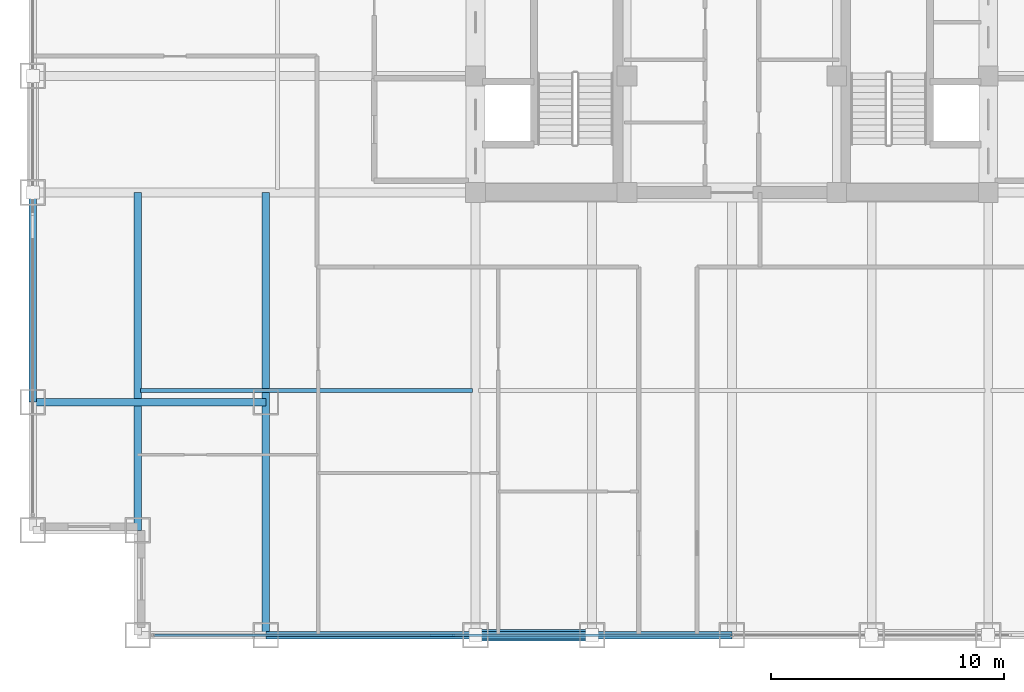
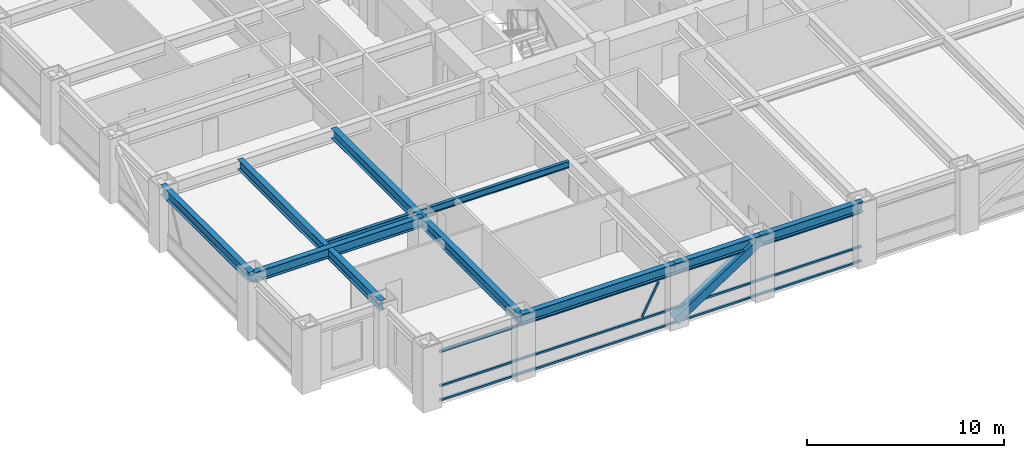
# One storey, part 3 of 24: 8 beams, 5 members, 1 element without a shape of its own.
"""IFC4 building model written with IfcOpenShell, lengths in metres."""

from ifc_helpers import new_model, si_unit, direction, frame, origin, origin_2d, place, context, subcontext, project, spatial, hollow_rectangle, i_section, extrude, source, transform, mapped, material, material_profile, profile_set, type_object, element, aggregate, save


model = new_model("IFC4")

# Units and contexts
model_context = context("Model", 3, precision=1e-05, world=origin(), true_north=direction((0.0, 1.0)))
body_context = subcontext(model_context, "Body", "Model", "MODEL_VIEW")
ifc_project = project(units=[si_unit("LENGTHUNIT", "METRE"), si_unit("AREAUNIT", "SQUARE_METRE"), si_unit("VOLUMEUNIT", "CUBIC_METRE"), si_unit("PLANEANGLEUNIT", "RADIAN"), si_unit("MASSUNIT", "GRAM", prefix="KILO")], contexts=[model_context])

# Site, building, storey
site_placement = place(None, origin())
site = spatial("IfcSite", under=ifc_project, at=site_placement, CompositionType="ELEMENT")
building_placement = place(site_placement, origin())
building = spatial("IfcBuilding", under=site, at=building_placement, Name="Khorayat Bourse Tower", CompositionType="ELEMENT")
storey_placement = place(building_placement, frame((0.0, 0.0, 175.10009765625)))
storey = spatial("IfcBuildingStorey", under=building, at=storey_placement, Name="L40", CompositionType="ELEMENT", Elevation=175.10009765625)

# Beams
ifc_material_1 = material(Name="Steel ASTM A992 Grade 50", Category="steel")
ifc_material_profile_1 = material_profile(ifc_material_1, i_section(OverallWidth=0.324951171875, OverallDepth=0.615966796875, WebThickness=0.013916015625, FlangeThickness=0.021484375, FilletRadius=0.01611328125, at=origin_2d()), Name="W610X174")
ifc_profile_set_1 = profile_set([ifc_material_profile_1], Name="Steel ASTM A992 Grade 50")
beam_type_1 = type_object("IfcBeamType", Name="BM-GIRD-610", PredefinedType="BEAM", material=ifc_profile_set_1)
shared_shape_1 = source(origin(), body_context, "Body", "SweptSolid", [
    extrude(i_section(OverallWidth=0.324951171875, OverallDepth=0.615966796875, WebThickness=0.013916015625, FlangeThickness=0.021484375, FilletRadius=0.01611328125, at=origin_2d()), origin(), (0.0, 0.0, 1.0), 19.0),
])
beam_1_placement = place(storey_placement, frame((-20.0, -30.0, 3.471923828125), z_axis=(0.0, 1.0, 0.0), x_axis=(-1.0, 0.0, 0.0)))
element("IfcBeam", 1, at=beam_1_placement, inside=storey, type_object=beam_type_1, Name="L40 BM-GIRD-610 BM-L40-CNRY-084", PredefinedType="BEAM", context=body_context, shape_type="MappedRepresentation", body=[
    mapped(shared_shape_1, transform((0.0, 0.0, 0.0), scale=1.0)),
])
shared_shape_2 = source(origin(), body_context, "Body", "SweptSolid", [
    extrude(i_section(OverallWidth=0.324951171875, OverallDepth=0.615966796875, WebThickness=0.013916015625, FlangeThickness=0.021484375, FilletRadius=0.01611328125, at=origin_2d()), origin(), (0.0, 0.0, 1.0), 14.5),
])
beam_2_placement = place(storey_placement, frame((-25.5, -25.5, 3.471923828125), z_axis=(0.0, 1.0, 0.0), x_axis=(-1.0, 0.0, 0.0)))
element("IfcBeam", 2, at=beam_2_placement, inside=storey, type_object=beam_type_1, Name="L40 BM-GIRD-610 BM-L40-CNRY-088", PredefinedType="BEAM", context=body_context, shape_type="MappedRepresentation", body=[
    mapped(shared_shape_2, transform((0.0, 0.0, 0.0), scale=1.0)),
])
shared_shape_3 = source(origin(), body_context, "Body", "SweptSolid", [
    extrude(i_section(OverallWidth=0.324951171875, OverallDepth=0.615966796875, WebThickness=0.013916015625, FlangeThickness=0.021484375, FilletRadius=0.01611328125, at=origin_2d()), origin(), (0.0, 0.0, 1.0), 10.0),
])
beam_3_placement = place(storey_placement, frame((-30.0, -20.0, 3.471923828125), z_axis=(1.0, 0.0, 0.0), x_axis=(0.0, 1.0, 0.0)))
element("IfcBeam", 3, at=beam_3_placement, inside=storey, type_object=beam_type_1, Name="L40 BM-GIRD-610 BM-L40-CNRX-093", PredefinedType="BEAM", context=body_context, shape_type="MappedRepresentation", body=[
    mapped(shared_shape_3, transform((0.0, 0.0, 0.0), scale=1.0)),
])
ifc_material_profile_2 = material_profile(ifc_material_1, i_section(OverallWidth=0.180908203125, OverallDepth=0.4169921875, WebThickness=0.010986328125, FlangeThickness=0.018310546875, FilletRadius=0.011962890625, at=origin_2d()), Name="W410X85")
ifc_profile_set_2 = profile_set([ifc_material_profile_2], Name="Steel ASTM A992 Grade 50")
beam_type_2 = type_object("IfcBeamType", Name="BM-JOIST-410", PredefinedType="JOIST", material=ifc_profile_set_2)
shared_shape_4 = source(origin(), body_context, "Body", "SweptSolid", [
    extrude(i_section(OverallWidth=0.180908203125, OverallDepth=0.4169921875, WebThickness=0.010986328125, FlangeThickness=0.018310546875, FilletRadius=0.011962890625, at=origin_2d()), origin(), (0.0, 0.0, 1.0), 14.240234375),
])
beam_4_placement = place(storey_placement, frame((-25.3701171875, -19.5, 3.5712890625), z_axis=(1.0, 0.0, 0.0), x_axis=(0.0, 1.0, 0.0)))
element("IfcBeam", 4, at=beam_4_placement, inside=storey, type_object=beam_type_2, Name="L40 BM-JOIST-410 BM-L40-JSTX-096", PredefinedType="JOIST", context=body_context, shape_type="MappedRepresentation", body=[
    mapped(shared_shape_4, transform((0.0, 0.0, 0.0), scale=1.0)),
])
ifc_material_profile_3 = material_profile(ifc_material_1, i_section(OverallWidth=0.324951171875, OverallDepth=0.615966796875, WebThickness=0.013916015625, FlangeThickness=0.021484375, FilletRadius=0.01611328125, at=origin_2d()), Name="W610X174")
ifc_profile_set_3 = profile_set([ifc_material_profile_3], Name="Steel ASTM A992 Grade 50")
beam_type_3 = type_object("IfcBeamType", Name="BM-SPAN-610", PredefinedType="SPANDREL", material=ifc_profile_set_3)
shared_shape_5 = source(origin(), body_context, "Body", "SweptSolid", [
    extrude(i_section(OverallWidth=0.324951171875, OverallDepth=0.615966796875, WebThickness=0.013916015625, FlangeThickness=0.021484375, FilletRadius=0.01611328125, at=origin_2d()), origin(), (0.0, 0.0, 1.0), 9.0),
])
for number, where, z_axis, x_axis, name in (
    (5, (-20.0, -30.0, 3.471923828125), (1.0, 0.0, 0.0), (0.0, 1.0, 0.0), "L40 BM-SPAN-610 BM-L40-SPN-025"),
    (6, (-30.0, -20.0, 3.471923828125), (0.0, 1.0, 0.0), (-1.0, 0.0, 0.0), "L40 BM-SPAN-610 BM-L40-SPN-060"),
):
    element("IfcBeam", number, at=place(storey_placement, frame(where, z_axis=z_axis, x_axis=x_axis)), inside=storey, type_object=beam_type_3, Name=name, PredefinedType="SPANDREL", context=body_context, shape_type="MappedRepresentation", body=[
        mapped(shared_shape_5, transform((0.0, 0.0, 0.0), scale=1.0)),
    ])
shared_shape_6 = source(origin(), body_context, "Body", "SweptSolid", [
    extrude(i_section(OverallWidth=0.324951171875, OverallDepth=0.615966796875, WebThickness=0.013916015625, FlangeThickness=0.021484375, FilletRadius=0.01611328125, at=origin_2d()), origin(), (0.0, 0.0, 1.0), 5.0),
])
beam_5_placement = place(storey_placement, frame((-11.0, -30.0, 3.471923828125), z_axis=(1.0, 0.0, 0.0), x_axis=(0.0, 1.0, 0.0)))
element("IfcBeam", 7, at=beam_5_placement, inside=storey, type_object=beam_type_3, Name="L40 BM-SPAN-610 BM-L40-SPN-026", PredefinedType="SPANDREL", context=body_context, shape_type="MappedRepresentation", body=[
    mapped(shared_shape_6, transform((0.0, 0.0, 0.0), scale=1.0)),
])
shared_shape_7 = source(origin(), body_context, "Body", "SweptSolid", [
    extrude(i_section(OverallWidth=0.324951171875, OverallDepth=0.615966796875, WebThickness=0.013916015625, FlangeThickness=0.021484375, FilletRadius=0.01611328125, at=origin_2d()), origin(), (0.0, 0.0, 1.0), 6.0),
])
beam_6_placement = place(storey_placement, frame((-6.0, -30.0, 3.471923828125), z_axis=(1.0, 0.0, 0.0), x_axis=(0.0, 1.0, 0.0)))
element("IfcBeam", 8, at=beam_6_placement, inside=storey, type_object=beam_type_3, Name="L40 BM-SPAN-610 BM-L40-SPN-027", PredefinedType="SPANDREL", context=body_context, shape_type="MappedRepresentation", body=[
    mapped(shared_shape_7, transform((0.0, 0.0, 0.0), scale=1.0)),
])

# Member
ifc_material_2 = material(Name="Steel EN 10025-4 S460M", Category="steel")
ifc_material_profile_4 = material_profile(ifc_material_2, hollow_rectangle(XDim=0.5, YDim=0.5, WallThickness=0.028076171875, at=origin_2d()), Name="HSS 500x500x28")
ifc_profile_set_4 = profile_set([ifc_material_profile_4], Name="Steel EN 10025-4 S460M")
member_type_1 = type_object("IfcMemberType", Name="MBR-TUBE-500", PredefinedType="BRACE", material=ifc_profile_set_4)
shared_shape_8 = source(origin(), body_context, "Body", "SweptSolid", [
    extrude(hollow_rectangle(XDim=0.5, YDim=0.5, WallThickness=0.028076171875, at=origin_2d()), origin(), (0.0, 0.0, 1.0), 5.979736328125),
])
member_1_placement = place(storey_placement, frame((-11.0, -30.0, 0.25), z_axis=(0.836160261256, 0.0, 0.548485202623), x_axis=(0.0, 1.0, 0.0)))
element("IfcMember", 9, at=member_1_placement, inside=storey, type_object=member_type_1, Name="L40 Perimeter Tube Brace 01", PredefinedType="BRACE", context=body_context, shape_type="MappedRepresentation", body=[
    mapped(shared_shape_8, transform((0.0, 0.0, 0.0), scale=1.0)),
])

# Curtain wall, members
ifc_material_3 = material(Name="Aluminium EN AW-6063 T6", Category="aluminium")
curtain_wall_type = type_object("IfcCurtainWallType", Name="CW-SYS-03", PredefinedType="NOTDEFINED", material=ifc_material_3)
curtain_wall_placement = place(storey_placement, origin())
curtain_wall = element("IfcCurtainWall", 10, at=curtain_wall_placement, inside=storey, type_object=curtain_wall_type, Name="L40 Curtain Wall CW-L40-S1", PredefinedType="NOTDEFINED")
ifc_material_profile_5 = material_profile(ifc_material_3, hollow_rectangle(XDim=0.1201171875, YDim=0.1201171875, WallThickness=0.0048828125, at=origin_2d()), Name="ALU 120x120x5")
ifc_profile_set_5 = profile_set([ifc_material_profile_5], Name="Aluminium EN AW-6063 T6")
member_type_2 = type_object("IfcMemberType", Name="CWM-DIAG-120", PredefinedType="MULLION", material=ifc_profile_set_5)
shared_shape_9 = source(origin(), body_context, "Body", "SweptSolid", [
    extrude(hollow_rectangle(XDim=0.1201171875, YDim=0.1201171875, WallThickness=0.0048828125, at=origin_2d()), origin(), (0.0, 0.0, 1.0), 2.079345703125),
])
member_2_placement = place(storey_placement, frame((-12.904296875, -30.0, 1.08984375), z_axis=(0.465760949701, 0.0, 0.884910581773), x_axis=(0.0, 1.0, 0.0)))
member_2 = element("IfcMember", 11, at=member_2_placement, type_object=member_type_2, Name="CW-L40-S1 Faceted Diagonal Mullion 1", PredefinedType="MULLION", context=body_context, shape_type="MappedRepresentation", body=[
    mapped(shared_shape_9, transform((0.0, 0.0, 0.0), scale=1.0)),
])
ifc_material_profile_6 = material_profile(ifc_material_3, hollow_rectangle(XDim=0.1201171875, YDim=0.1201171875, WallThickness=0.0048828125, at=origin_2d()), Name="ALU 120x120x5")
ifc_profile_set_6 = profile_set([ifc_material_profile_6], Name="Aluminium EN AW-6063 T6")
member_type_3 = type_object("IfcMemberType", Name="CWT-HORZ-120", PredefinedType="USERDEFINED", material=ifc_profile_set_6)
shared_shape_10 = source(origin(), body_context, "Body", "SweptSolid", [
    extrude(hollow_rectangle(XDim=0.1201171875, YDim=0.1201171875, WallThickness=0.0048828125, at=origin_2d()), origin(), (0.0, 0.0, 1.0), 24.719970703125),
])
member_3_placement = place(storey_placement, frame((-24.780029296875, -30.0, 0.059814453125), z_axis=(1.0, 0.0, 0.0), x_axis=(0.0, 1.0, 0.0)))
member_3 = element("IfcMember", 12, at=member_3_placement, type_object=member_type_3, Name="CW-L40-S1 Horizontal Transom 1-1", ObjectType="TRANSOM", PredefinedType="USERDEFINED", context=body_context, shape_type="MappedRepresentation", body=[
    mapped(shared_shape_10, transform((0.0, 0.0, 0.0), scale=1.0)),
])
member_4_placement = place(storey_placement, frame((-24.780029296875, -30.0, 0.949951171875), z_axis=(1.0, 0.0, 0.0), x_axis=(0.0, 1.0, 0.0)))
member_4 = element("IfcMember", 13, at=member_4_placement, type_object=member_type_3, Name="CW-L40-S1 Horizontal Transom 1-2", ObjectType="TRANSOM", PredefinedType="USERDEFINED", context=body_context, shape_type="MappedRepresentation", body=[
    mapped(shared_shape_10, transform((0.0, 0.0, 0.0), scale=1.0)),
])
member_5_placement = place(storey_placement, frame((-24.780029296875, -30.0, 3.06982421875), z_axis=(1.0, 0.0, 0.0), x_axis=(0.0, 1.0, 0.0)))
member_5 = element("IfcMember", 14, at=member_5_placement, type_object=member_type_3, Name="CW-L40-S1 Horizontal Transom 1-3", ObjectType="TRANSOM", PredefinedType="USERDEFINED", context=body_context, shape_type="MappedRepresentation", body=[
    mapped(shared_shape_10, transform((0.0, 0.0, 0.0), scale=1.0)),
])
aggregate(curtain_wall, [member_3, member_4, member_5, member_2])

save(model, "model.ifc")
